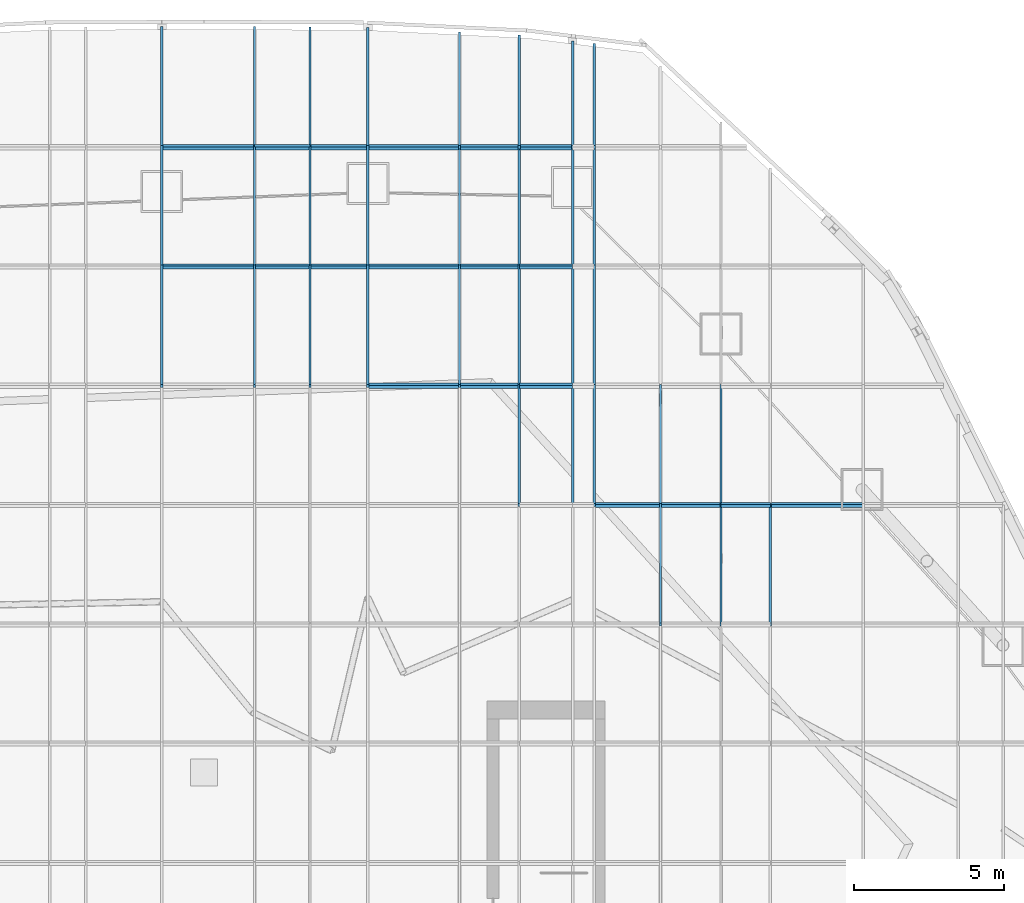
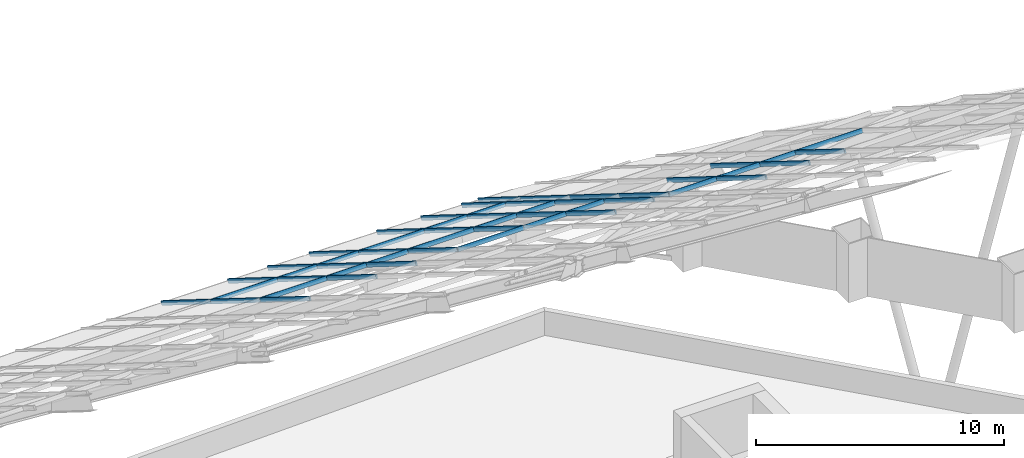
# One storey, part 21 of 38: 51 members, 34 elements without a shape of their own.
"""IFC4 building model written with IfcOpenShell, lengths in metres."""

from ifc_helpers import new_model, si_unit, direction, frame, origin, origin_2d, place, context, subcontext, project, spatial, rectangle, extrude, material, layer, layer_set, material_profile, profile_set, type_object, element, aggregate, save


model = new_model("IFC4")

# Units and contexts
model_context = context("Model", 3, precision=1e-05, world=origin(), true_north=direction((0.0, 1.0)))
body_context = subcontext(model_context, "Body", "Model", "MODEL_VIEW")
ifc_project = project(units=[si_unit("LENGTHUNIT", "METRE"), si_unit("AREAUNIT", "SQUARE_METRE"), si_unit("VOLUMEUNIT", "CUBIC_METRE"), si_unit("PLANEANGLEUNIT", "RADIAN"), si_unit("MASSUNIT", "GRAM", prefix="KILO")], contexts=[model_context])

# Site, building, storey
site_placement = place(None, origin())
site = spatial("IfcSite", under=ifc_project, at=site_placement, CompositionType="ELEMENT")
building_placement = place(site_placement, origin())
building = spatial("IfcBuilding", under=site, at=building_placement, Name="Dongbaek Canopy Tower", CompositionType="ELEMENT")
storey_placement = place(building_placement, frame((0.0, 0.0, 375.800048828125)))
storey = spatial("IfcBuildingStorey", under=building, at=storey_placement, Name="Roof", CompositionType="ELEMENT", Elevation=375.800048828125)

# Curtain wall, member
ifc_material_1 = material(Name="Aluminium 6063-T6 pale anodised", Category="aluminium")
ifc_layer = layer(ifc_material_1, 0.199951171875)
ifc_layer_set = layer_set([ifc_layer], Name="CW-6 canopy glazing curtain wall")
curtain_wall_type = type_object("IfcCurtainWallType", Name="CW-6 canopy glazing curtain wall", PredefinedType="NOTDEFINED", material=ifc_layer_set)
curtain_wall_1_placement = place(storey_placement, origin())
curtain_wall_1 = element("IfcCurtainWall", 1, at=curtain_wall_1_placement, inside=storey, type_object=curtain_wall_type, Name="CW-6 canopy glazing north 15.6", PredefinedType="NOTDEFINED")
ifc_material_2 = material(Name="Aluminium 6063-T6 pale anodised", Category="aluminium")
ifc_material_profile_1 = material_profile(ifc_material_2, rectangle(XDim=0.080078125, YDim=0.199951171875, at=origin_2d()), Name="CW-6 mullion 80 x 200")
ifc_profile_set_1 = profile_set([ifc_material_profile_1], Name="Aluminium 6063-T6 pale anodised")
member_type_1 = type_object("IfcMemberType", Name="CW-6 mullion 80 x 200", PredefinedType="MULLION", material=ifc_profile_set_1)
member_1_placement = place(storey_placement, frame((-1.41796875, 20.93115234375, 5.64453125), z_axis=(0.0, 0.848030400431, -0.529947582262), x_axis=(-1.0, 0.0, 0.0)))
member_1 = element("IfcMember", 2, at=member_1_placement, type_object=member_type_1, Name="CW-6 mullion N15.6.-1.4", PredefinedType="MULLION", context=body_context, shape_type="SweptSolid", body=[
    extrude(rectangle(XDim=0.080078125, YDim=0.199951171875, at=origin_2d()), origin(), (0.0, 0.0, 1.0), 4.700439453125),
])
aggregate(curtain_wall_1, [member_1])

curtain_wall_2_placement = place(storey_placement, origin())
curtain_wall_2 = element("IfcCurtainWall", 3, at=curtain_wall_2_placement, inside=storey, type_object=curtain_wall_type, Name="CW-6 canopy glazing north 15.7", PredefinedType="NOTDEFINED")
member_2_placement = place(storey_placement, frame((-1.41796875, 24.917236328125, 3.153564453125), z_axis=(0.0, 0.848068327403, -0.529886886095), x_axis=(-1.0, 0.0, 0.0)))
member_2 = element("IfcMember", 4, at=member_2_placement, type_object=member_type_1, Name="CW-6 mullion N15.7.-1.4", PredefinedType="MULLION", context=body_context, shape_type="SweptSolid", body=[
    extrude(rectangle(XDim=0.080078125, YDim=0.199951171875, at=origin_2d()), origin(), (0.0, 0.0, 1.0), 4.700439453125),
])
aggregate(curtain_wall_2, [member_2])

curtain_wall_3_placement = place(storey_placement, origin())
curtain_wall_3 = element("IfcCurtainWall", 5, at=curtain_wall_3_placement, inside=storey, type_object=curtain_wall_type, Name="CW-6 canopy glazing north 15.8", PredefinedType="NOTDEFINED")
member_3_placement = place(storey_placement, frame((-1.41796875, 28.903564453125, 0.662841796875), z_axis=(0.0, 0.848039216528, -0.529933474345), x_axis=(-1.0, 0.0, 0.0)))
member_3 = element("IfcMember", 6, at=member_3_placement, type_object=member_type_1, Name="CW-6 mullion N15.8.-1.4", PredefinedType="MULLION", context=body_context, shape_type="SweptSolid", body=[
    extrude(rectangle(XDim=0.080078125, YDim=0.199951171875, at=origin_2d()), origin(), (0.0, 0.0, 1.0), 4.693115234375),
])
aggregate(curtain_wall_3, [member_3])

curtain_wall_4_placement = place(storey_placement, origin())
curtain_wall_4 = element("IfcCurtainWall", 7, at=curtain_wall_4_placement, inside=storey, type_object=curtain_wall_type, Name="CW-6 canopy glazing north 16.6", PredefinedType="NOTDEFINED")
member_4_placement = place(storey_placement, frame((1.68310546875, 20.93115234375, 5.64453125), z_axis=(0.0, 0.848030400431, -0.529947582262), x_axis=(-1.0, 0.0, 0.0)))
member_4 = element("IfcMember", 8, at=member_4_placement, type_object=member_type_1, Name="CW-6 mullion N16.6.1.7", PredefinedType="MULLION", context=body_context, shape_type="SweptSolid", body=[
    extrude(rectangle(XDim=0.080078125, YDim=0.199951171875, at=origin_2d()), origin(), (0.0, 0.0, 1.0), 4.700439453125),
])

curtain_wall_5_placement = place(storey_placement, origin())
curtain_wall_5 = element("IfcCurtainWall", 9, at=curtain_wall_5_placement, inside=storey, type_object=curtain_wall_type, Name="CW-6 canopy glazing north 16.7", PredefinedType="NOTDEFINED")
member_5_placement = place(storey_placement, frame((1.68310546875, 24.917236328125, 3.153564453125), z_axis=(0.0, 0.848068327403, -0.529886886095), x_axis=(-1.0, 0.0, 0.0)))
member_5 = element("IfcMember", 10, at=member_5_placement, type_object=member_type_1, Name="CW-6 mullion N16.7.1.7", PredefinedType="MULLION", context=body_context, shape_type="SweptSolid", body=[
    extrude(rectangle(XDim=0.080078125, YDim=0.199951171875, at=origin_2d()), origin(), (0.0, 0.0, 1.0), 4.700439453125),
])

curtain_wall_6_placement = place(storey_placement, origin())
curtain_wall_6 = element("IfcCurtainWall", 11, at=curtain_wall_6_placement, inside=storey, type_object=curtain_wall_type, Name="CW-6 canopy glazing north 16.8", PredefinedType="NOTDEFINED")
member_6_placement = place(storey_placement, frame((1.68310546875, 28.903564453125, 0.662841796875), z_axis=(0.0, 0.848036305897, -0.529938132126), x_axis=(-1.0, 0.0, 0.0)))
member_6 = element("IfcMember", 12, at=member_6_placement, type_object=member_type_1, Name="CW-6 mullion N16.8.1.7", PredefinedType="MULLION", context=body_context, shape_type="SweptSolid", body=[
    extrude(rectangle(XDim=0.080078125, YDim=0.199951171875, at=origin_2d()), origin(), (0.0, 0.0, 1.0), 4.691650390625),
])
aggregate(curtain_wall_6, [member_6])

curtain_wall_7_placement = place(storey_placement, origin())
curtain_wall_7 = element("IfcCurtainWall", 13, at=curtain_wall_7_placement, inside=storey, type_object=curtain_wall_type, Name="CW-6 canopy glazing north 17.6", PredefinedType="NOTDEFINED")
member_7_placement = place(storey_placement, frame((3.535400390625, 20.93115234375, 5.64453125), z_axis=(0.0, 0.848030400431, -0.529947582262), x_axis=(-1.0, 0.0, 0.0)))
member_7 = element("IfcMember", 14, at=member_7_placement, type_object=member_type_1, Name="CW-6 mullion N17.6.3.5", PredefinedType="MULLION", context=body_context, shape_type="SweptSolid", body=[
    extrude(rectangle(XDim=0.080078125, YDim=0.199951171875, at=origin_2d()), origin(), (0.0, 0.0, 1.0), 4.700439453125),
])

curtain_wall_8_placement = place(storey_placement, origin())
curtain_wall_8 = element("IfcCurtainWall", 15, at=curtain_wall_8_placement, inside=storey, type_object=curtain_wall_type, Name="CW-6 canopy glazing north 17.7", PredefinedType="NOTDEFINED")
member_8_placement = place(storey_placement, frame((3.535400390625, 24.917236328125, 3.153564453125), z_axis=(0.0, 0.848068327403, -0.529886886095), x_axis=(-1.0, 0.0, 0.0)))
member_8 = element("IfcMember", 16, at=member_8_placement, type_object=member_type_1, Name="CW-6 mullion N17.7.3.5", PredefinedType="MULLION", context=body_context, shape_type="SweptSolid", body=[
    extrude(rectangle(XDim=0.080078125, YDim=0.199951171875, at=origin_2d()), origin(), (0.0, 0.0, 1.0), 4.700439453125),
])

curtain_wall_9_placement = place(storey_placement, origin())
curtain_wall_9 = element("IfcCurtainWall", 17, at=curtain_wall_9_placement, inside=storey, type_object=curtain_wall_type, Name="CW-6 canopy glazing north 17.8", PredefinedType="NOTDEFINED")
member_9_placement = place(storey_placement, frame((3.535400390625, 28.903564453125, 0.662841796875), z_axis=(0.0, 0.848045170327, -0.52992394651), x_axis=(-1.0, 0.0, 0.0)))
member_9 = element("IfcMember", 18, at=member_9_placement, type_object=member_type_1, Name="CW-6 mullion N17.8.3.5", PredefinedType="MULLION", context=body_context, shape_type="SweptSolid", body=[
    extrude(rectangle(XDim=0.080078125, YDim=0.199951171875, at=origin_2d()), origin(), (0.0, 0.0, 1.0), 4.68212890625),
])
aggregate(curtain_wall_9, [member_9])

curtain_wall_10_placement = place(storey_placement, origin())
curtain_wall_10 = element("IfcCurtainWall", 19, at=curtain_wall_10_placement, inside=storey, type_object=curtain_wall_type, Name="CW-6 canopy glazing north 18.6", PredefinedType="NOTDEFINED")
member_10_placement = place(storey_placement, frame((5.470947265625, 20.93115234375, 5.64453125), z_axis=(0.0, 0.848030400431, -0.529947582262), x_axis=(-1.0, 0.0, 0.0)))
member_10 = element("IfcMember", 20, at=member_10_placement, type_object=member_type_1, Name="CW-6 mullion N18.6.5.5", PredefinedType="MULLION", context=body_context, shape_type="SweptSolid", body=[
    extrude(rectangle(XDim=0.080078125, YDim=0.199951171875, at=origin_2d()), origin(), (0.0, 0.0, 1.0), 4.700439453125),
])

curtain_wall_11_placement = place(storey_placement, origin())
curtain_wall_11 = element("IfcCurtainWall", 21, at=curtain_wall_11_placement, inside=storey, type_object=curtain_wall_type, Name="CW-6 canopy glazing north 18.7", PredefinedType="NOTDEFINED")
member_11_placement = place(storey_placement, frame((5.470947265625, 24.917236328125, 3.153564453125), z_axis=(0.0, 0.848068327403, -0.529886886095), x_axis=(-1.0, 0.0, 0.0)))
member_11 = element("IfcMember", 22, at=member_11_placement, type_object=member_type_1, Name="CW-6 mullion N18.7.5.5", PredefinedType="MULLION", context=body_context, shape_type="SweptSolid", body=[
    extrude(rectangle(XDim=0.080078125, YDim=0.199951171875, at=origin_2d()), origin(), (0.0, 0.0, 1.0), 4.700439453125),
])

curtain_wall_12_placement = place(storey_placement, origin())
curtain_wall_12 = element("IfcCurtainWall", 23, at=curtain_wall_12_placement, inside=storey, type_object=curtain_wall_type, Name="CW-6 canopy glazing north 18.8", PredefinedType="NOTDEFINED")
member_12_placement = place(storey_placement, frame((5.470947265625, 28.903564453125, 0.662841796875), z_axis=(0.0, 0.848036531076, -0.529937771781), x_axis=(-1.0, 0.0, 0.0)))
member_12 = element("IfcMember", 24, at=member_12_placement, type_object=member_type_1, Name="CW-6 mullion N18.8.5.5", PredefinedType="MULLION", context=body_context, shape_type="SweptSolid", body=[
    extrude(rectangle(XDim=0.080078125, YDim=0.199951171875, at=origin_2d()), origin(), (0.0, 0.0, 1.0), 4.6640625),
])
aggregate(curtain_wall_12, [member_12])

curtain_wall_13_placement = place(storey_placement, origin())
curtain_wall_13 = element("IfcCurtainWall", 25, at=curtain_wall_13_placement, inside=storey, type_object=curtain_wall_type, Name="CW-6 canopy glazing north 19.6", PredefinedType="NOTDEFINED")
member_13_placement = place(storey_placement, frame((8.533935546875, 20.93115234375, 5.64453125), z_axis=(0.0, 0.848030400431, -0.529947582262), x_axis=(-1.0, 0.0, 0.0)))
member_13 = element("IfcMember", 26, at=member_13_placement, type_object=member_type_1, Name="CW-6 mullion N19.6.8.5", PredefinedType="MULLION", context=body_context, shape_type="SweptSolid", body=[
    extrude(rectangle(XDim=0.080078125, YDim=0.199951171875, at=origin_2d()), origin(), (0.0, 0.0, 1.0), 4.700439453125),
])

curtain_wall_14_placement = place(storey_placement, origin())
curtain_wall_14 = element("IfcCurtainWall", 27, at=curtain_wall_14_placement, inside=storey, type_object=curtain_wall_type, Name="CW-6 canopy glazing north 19.7", PredefinedType="NOTDEFINED")
member_14_placement = place(storey_placement, frame((8.533935546875, 24.917236328125, 3.153564453125), z_axis=(0.0, 0.848068327403, -0.529886886095), x_axis=(-1.0, 0.0, 0.0)))
member_14 = element("IfcMember", 28, at=member_14_placement, type_object=member_type_1, Name="CW-6 mullion N19.7.8.5", PredefinedType="MULLION", context=body_context, shape_type="SweptSolid", body=[
    extrude(rectangle(XDim=0.080078125, YDim=0.199951171875, at=origin_2d()), origin(), (0.0, 0.0, 1.0), 4.700439453125),
])

curtain_wall_15_placement = place(storey_placement, origin())
curtain_wall_15 = element("IfcCurtainWall", 29, at=curtain_wall_15_placement, inside=storey, type_object=curtain_wall_type, Name="CW-6 canopy glazing north 19.8", PredefinedType="NOTDEFINED")
member_15_placement = place(storey_placement, frame((8.533935546875, 28.903564453125, 0.662841796875), z_axis=(0.0, 0.848031932836, -0.529945130075), x_axis=(-1.0, 0.0, 0.0)))
member_15 = element("IfcMember", 30, at=member_15_placement, type_object=member_type_1, Name="CW-6 mullion N19.8.8.5", PredefinedType="MULLION", context=body_context, shape_type="SweptSolid", body=[
    extrude(rectangle(XDim=0.080078125, YDim=0.199951171875, at=origin_2d()), origin(), (0.0, 0.0, 1.0), 4.486083984375),
])
aggregate(curtain_wall_15, [member_15])

curtain_wall_16_placement = place(storey_placement, origin())
curtain_wall_16 = element("IfcCurtainWall", 31, at=curtain_wall_16_placement, inside=storey, type_object=curtain_wall_type, Name="CW-6 canopy glazing north 20.5", PredefinedType="NOTDEFINED")
member_16_placement = place(storey_placement, frame((10.535400390625, 16.94482421875, 8.13525390625), z_axis=(0.0, 0.848068327403, -0.529886886095), x_axis=(-1.0, 0.0, 0.0)))
member_16 = element("IfcMember", 32, at=member_16_placement, type_object=member_type_1, Name="CW-6 mullion N20.5.10.5", PredefinedType="MULLION", context=body_context, shape_type="SweptSolid", body=[
    extrude(rectangle(XDim=0.080078125, YDim=0.199951171875, at=origin_2d()), origin(), (0.0, 0.0, 1.0), 4.700439453125),
])

curtain_wall_17_placement = place(storey_placement, origin())
curtain_wall_17 = element("IfcCurtainWall", 33, at=curtain_wall_17_placement, inside=storey, type_object=curtain_wall_type, Name="CW-6 canopy glazing north 20.6", PredefinedType="NOTDEFINED")
member_17_placement = place(storey_placement, frame((10.535400390625, 20.93115234375, 5.64453125), z_axis=(0.0, 0.848030400431, -0.529947582262), x_axis=(-1.0, 0.0, 0.0)))
member_17 = element("IfcMember", 34, at=member_17_placement, type_object=member_type_1, Name="CW-6 mullion N20.6.10.5", PredefinedType="MULLION", context=body_context, shape_type="SweptSolid", body=[
    extrude(rectangle(XDim=0.080078125, YDim=0.199951171875, at=origin_2d()), origin(), (0.0, 0.0, 1.0), 4.700439453125),
])

curtain_wall_18_placement = place(storey_placement, origin())
curtain_wall_18 = element("IfcCurtainWall", 35, at=curtain_wall_18_placement, inside=storey, type_object=curtain_wall_type, Name="CW-6 canopy glazing north 20.7", PredefinedType="NOTDEFINED")
member_18_placement = place(storey_placement, frame((10.535400390625, 24.917236328125, 3.153564453125), z_axis=(0.0, 0.848068327403, -0.529886886095), x_axis=(-1.0, 0.0, 0.0)))
member_18 = element("IfcMember", 36, at=member_18_placement, type_object=member_type_1, Name="CW-6 mullion N20.7.10.5", PredefinedType="MULLION", context=body_context, shape_type="SweptSolid", body=[
    extrude(rectangle(XDim=0.080078125, YDim=0.199951171875, at=origin_2d()), origin(), (0.0, 0.0, 1.0), 4.700439453125),
])

curtain_wall_19_placement = place(storey_placement, origin())
curtain_wall_19 = element("IfcCurtainWall", 37, at=curtain_wall_19_placement, inside=storey, type_object=curtain_wall_type, Name="CW-6 canopy glazing north 20.8", PredefinedType="NOTDEFINED")
member_19_placement = place(storey_placement, frame((10.535400390625, 28.903564453125, 0.662841796875), z_axis=(0.0, 0.848020273836, -0.529963786653), x_axis=(-1.0, 0.0, 0.0)))
member_19 = element("IfcMember", 38, at=member_19_placement, type_object=member_type_1, Name="CW-6 mullion N20.8.10.5", PredefinedType="MULLION", context=body_context, shape_type="SweptSolid", body=[
    extrude(rectangle(XDim=0.080078125, YDim=0.199951171875, at=origin_2d()), origin(), (0.0, 0.0, 1.0), 4.369873046875),
])
aggregate(curtain_wall_19, [member_19])

curtain_wall_20_placement = place(storey_placement, origin())
curtain_wall_20 = element("IfcCurtainWall", 39, at=curtain_wall_20_placement, inside=storey, type_object=curtain_wall_type, Name="CW-6 canopy glazing north 21.5", PredefinedType="NOTDEFINED")
member_20_placement = place(storey_placement, frame((12.31396484375, 16.94482421875, 8.13525390625), z_axis=(0.0, 0.848068327403, -0.529886886095), x_axis=(-1.0, 0.0, 0.0)))
member_20 = element("IfcMember", 40, at=member_20_placement, type_object=member_type_1, Name="CW-6 mullion N21.5.12.3", PredefinedType="MULLION", context=body_context, shape_type="SweptSolid", body=[
    extrude(rectangle(XDim=0.080078125, YDim=0.199951171875, at=origin_2d()), origin(), (0.0, 0.0, 1.0), 4.700439453125),
])

curtain_wall_21_placement = place(storey_placement, origin())
curtain_wall_21 = element("IfcCurtainWall", 41, at=curtain_wall_21_placement, inside=storey, type_object=curtain_wall_type, Name="CW-6 canopy glazing north 21.6", PredefinedType="NOTDEFINED")
member_21_placement = place(storey_placement, frame((12.31396484375, 20.93115234375, 5.64453125), z_axis=(0.0, 0.848030400431, -0.529947582262), x_axis=(-1.0, 0.0, 0.0)))
member_21 = element("IfcMember", 42, at=member_21_placement, type_object=member_type_1, Name="CW-6 mullion N21.6.12.3", PredefinedType="MULLION", context=body_context, shape_type="SweptSolid", body=[
    extrude(rectangle(XDim=0.080078125, YDim=0.199951171875, at=origin_2d()), origin(), (0.0, 0.0, 1.0), 4.700439453125),
])

curtain_wall_22_placement = place(storey_placement, origin())
curtain_wall_22 = element("IfcCurtainWall", 43, at=curtain_wall_22_placement, inside=storey, type_object=curtain_wall_type, Name="CW-6 canopy glazing north 21.7", PredefinedType="NOTDEFINED")
member_22_placement = place(storey_placement, frame((12.31396484375, 24.917236328125, 3.153564453125), z_axis=(0.0, 0.848068327403, -0.529886886095), x_axis=(-1.0, 0.0, 0.0)))
member_22 = element("IfcMember", 44, at=member_22_placement, type_object=member_type_1, Name="CW-6 mullion N21.7.12.3", PredefinedType="MULLION", context=body_context, shape_type="SweptSolid", body=[
    extrude(rectangle(XDim=0.080078125, YDim=0.199951171875, at=origin_2d()), origin(), (0.0, 0.0, 1.0), 4.700439453125),
])

curtain_wall_23_placement = place(storey_placement, origin())
curtain_wall_23 = element("IfcCurtainWall", 45, at=curtain_wall_23_placement, inside=storey, type_object=curtain_wall_type, Name="CW-6 canopy glazing north 21.8", PredefinedType="NOTDEFINED")
member_23_placement = place(storey_placement, frame((12.31396484375, 28.903564453125, 0.662841796875), z_axis=(0.0, 0.84802153493, -0.529961768711), x_axis=(-1.0, 0.0, 0.0)))
member_23 = element("IfcMember", 46, at=member_23_placement, type_object=member_type_1, Name="CW-6 mullion N21.8.12.3", PredefinedType="MULLION", context=body_context, shape_type="SweptSolid", body=[
    extrude(rectangle(XDim=0.080078125, YDim=0.199951171875, at=origin_2d()), origin(), (0.0, 0.0, 1.0), 4.1328125),
])
aggregate(curtain_wall_23, [member_23])

curtain_wall_24_placement = place(storey_placement, origin())
curtain_wall_24 = element("IfcCurtainWall", 47, at=curtain_wall_24_placement, inside=storey, type_object=curtain_wall_type, Name="CW-6 canopy glazing north 22.5", PredefinedType="NOTDEFINED")
member_24_placement = place(storey_placement, frame((13.035400390625, 16.94482421875, 8.13525390625), z_axis=(0.0, 0.848068327403, -0.529886886095), x_axis=(-1.0, 0.0, 0.0)))
member_24 = element("IfcMember", 48, at=member_24_placement, type_object=member_type_1, Name="CW-6 mullion N22.5.13.0", PredefinedType="MULLION", context=body_context, shape_type="SweptSolid", body=[
    extrude(rectangle(XDim=0.080078125, YDim=0.199951171875, at=origin_2d()), origin(), (0.0, 0.0, 1.0), 4.700439453125),
])
aggregate(curtain_wall_24, [member_24])

curtain_wall_25_placement = place(storey_placement, origin())
curtain_wall_25 = element("IfcCurtainWall", 49, at=curtain_wall_25_placement, inside=storey, type_object=curtain_wall_type, Name="CW-6 canopy glazing north 22.6", PredefinedType="NOTDEFINED")
member_25_placement = place(storey_placement, frame((13.035400390625, 20.93115234375, 5.64453125), z_axis=(0.0, 0.848030400431, -0.529947582262), x_axis=(-1.0, 0.0, 0.0)))
member_25 = element("IfcMember", 50, at=member_25_placement, type_object=member_type_1, Name="CW-6 mullion N22.6.13.0", PredefinedType="MULLION", context=body_context, shape_type="SweptSolid", body=[
    extrude(rectangle(XDim=0.080078125, YDim=0.199951171875, at=origin_2d()), origin(), (0.0, 0.0, 1.0), 4.700439453125),
])
aggregate(curtain_wall_25, [member_25])

curtain_wall_26_placement = place(storey_placement, origin())
curtain_wall_26 = element("IfcCurtainWall", 51, at=curtain_wall_26_placement, inside=storey, type_object=curtain_wall_type, Name="CW-6 canopy glazing north 22.7", PredefinedType="NOTDEFINED")
member_26_placement = place(storey_placement, frame((13.035400390625, 24.917236328125, 3.153564453125), z_axis=(0.0, 0.848068327403, -0.529886886095), x_axis=(-1.0, 0.0, 0.0)))
member_26 = element("IfcMember", 52, at=member_26_placement, type_object=member_type_1, Name="CW-6 mullion N22.7.13.0", PredefinedType="MULLION", context=body_context, shape_type="SweptSolid", body=[
    extrude(rectangle(XDim=0.080078125, YDim=0.199951171875, at=origin_2d()), origin(), (0.0, 0.0, 1.0), 4.700439453125),
])
aggregate(curtain_wall_26, [member_26])

curtain_wall_27_placement = place(storey_placement, origin())
curtain_wall_27 = element("IfcCurtainWall", 53, at=curtain_wall_27_placement, inside=storey, type_object=curtain_wall_type, Name="CW-6 canopy glazing north 22.8", PredefinedType="NOTDEFINED")
member_27_placement = place(storey_placement, frame((13.035400390625, 28.903564453125, 0.662841796875), z_axis=(0.0, 0.848049393821, -0.529917187531), x_axis=(-1.0, 0.0, 0.0)))
member_27 = element("IfcMember", 54, at=member_27_placement, type_object=member_type_1, Name="CW-6 mullion N22.8.13.0", PredefinedType="MULLION", context=body_context, shape_type="SweptSolid", body=[
    extrude(rectangle(XDim=0.080078125, YDim=0.199951171875, at=origin_2d()), origin(), (0.0, 0.0, 1.0), 4.026611328125),
])
aggregate(curtain_wall_27, [member_27])

curtain_wall_28_placement = place(storey_placement, origin())
curtain_wall_28 = element("IfcCurtainWall", 55, at=curtain_wall_28_placement, inside=storey, type_object=curtain_wall_type, Name="CW-6 canopy glazing north 23.4", PredefinedType="NOTDEFINED")
member_28_placement = place(storey_placement, frame((15.251953125, 12.958740234375, 10.626220703125), z_axis=(0.0, 0.848030400431, -0.529947582262), x_axis=(-1.0, 0.0, 0.0)))
member_28 = element("IfcMember", 56, at=member_28_placement, type_object=member_type_1, Name="CW-6 mullion N23.4.15.3", PredefinedType="MULLION", context=body_context, shape_type="SweptSolid", body=[
    extrude(rectangle(XDim=0.080078125, YDim=0.199951171875, at=origin_2d()), origin(), (0.0, 0.0, 1.0), 4.700439453125),
])

curtain_wall_29_placement = place(storey_placement, origin())
curtain_wall_29 = element("IfcCurtainWall", 57, at=curtain_wall_29_placement, inside=storey, type_object=curtain_wall_type, Name="CW-6 canopy glazing north 23.5", PredefinedType="NOTDEFINED")
member_29_placement = place(storey_placement, frame((15.251953125, 16.94482421875, 8.13525390625), z_axis=(0.0, 0.848068327403, -0.529886886095), x_axis=(-1.0, 0.0, 0.0)))
member_29 = element("IfcMember", 58, at=member_29_placement, type_object=member_type_1, Name="CW-6 mullion N23.5.15.3", PredefinedType="MULLION", context=body_context, shape_type="SweptSolid", body=[
    extrude(rectangle(XDim=0.080078125, YDim=0.199951171875, at=origin_2d()), origin(), (0.0, 0.0, 1.0), 4.700439453125),
])
aggregate(curtain_wall_29, [member_29])

curtain_wall_30_placement = place(storey_placement, origin())
curtain_wall_30 = element("IfcCurtainWall", 59, at=curtain_wall_30_placement, inside=storey, type_object=curtain_wall_type, Name="CW-6 canopy glazing north 24.4", PredefinedType="NOTDEFINED")
member_30_placement = place(storey_placement, frame((17.27587890625, 12.958740234375, 10.626220703125), z_axis=(0.0, 0.848030400431, -0.529947582262), x_axis=(-1.0, 0.0, 0.0)))
member_30 = element("IfcMember", 60, at=member_30_placement, type_object=member_type_1, Name="CW-6 mullion N24.4.17.3", PredefinedType="MULLION", context=body_context, shape_type="SweptSolid", body=[
    extrude(rectangle(XDim=0.080078125, YDim=0.199951171875, at=origin_2d()), origin(), (0.0, 0.0, 1.0), 4.700439453125),
])

curtain_wall_31_placement = place(storey_placement, origin())
curtain_wall_31 = element("IfcCurtainWall", 61, at=curtain_wall_31_placement, inside=storey, type_object=curtain_wall_type, Name="CW-6 canopy glazing north 24.5", PredefinedType="NOTDEFINED")
member_31_placement = place(storey_placement, frame((17.27587890625, 16.94482421875, 8.13525390625), z_axis=(0.0, 0.848068327403, -0.529886886095), x_axis=(-1.0, 0.0, 0.0)))
member_31 = element("IfcMember", 62, at=member_31_placement, type_object=member_type_1, Name="CW-6 mullion N24.5.17.3", PredefinedType="MULLION", context=body_context, shape_type="SweptSolid", body=[
    extrude(rectangle(XDim=0.080078125, YDim=0.199951171875, at=origin_2d()), origin(), (0.0, 0.0, 1.0), 4.700439453125),
])
aggregate(curtain_wall_31, [member_31])

curtain_wall_32_placement = place(storey_placement, origin())
curtain_wall_32 = element("IfcCurtainWall", 63, at=curtain_wall_32_placement, inside=storey, type_object=curtain_wall_type, Name="CW-6 canopy glazing north 25.4", PredefinedType="NOTDEFINED")
member_32_placement = place(storey_placement, frame((18.925048828125, 12.958740234375, 10.626220703125), z_axis=(0.0, 0.848030400431, -0.529947582262), x_axis=(-1.0, 0.0, 0.0)))
member_32 = element("IfcMember", 64, at=member_32_placement, type_object=member_type_1, Name="CW-6 mullion N25.4.18.9", PredefinedType="MULLION", context=body_context, shape_type="SweptSolid", body=[
    extrude(rectangle(XDim=0.080078125, YDim=0.199951171875, at=origin_2d()), origin(), (0.0, 0.0, 1.0), 4.700439453125),
])

# Member
ifc_material_3 = material(Name="Aluminium 6063-T6 pale anodised", Category="aluminium")
ifc_material_profile_2 = material_profile(ifc_material_3, rectangle(XDim=0.080078125, YDim=0.199951171875, at=origin_2d()), Name="CW-6 transom 80 x 200")
ifc_profile_set_2 = profile_set([ifc_material_profile_2], Name="Aluminium 6063-T6 pale anodised")
member_type_2 = type_object("IfcMemberType", Name="CW-6 transom 80 x 200", PredefinedType="USERDEFINED", material=ifc_profile_set_2)
member_33_placement = place(storey_placement, frame((-1.41796875, 24.917236328125, 3.153564453125), z_axis=(1.0, 0.0, 0.0), x_axis=(0.0, 0.848048096156, -0.529919264233)))
member_33 = element("IfcMember", 65, at=member_33_placement, type_object=member_type_2, Name="CW-6 transom N16.6.7", ObjectType="TRANSOM", PredefinedType="USERDEFINED", context=body_context, shape_type="SweptSolid", body=[
    extrude(rectangle(XDim=0.080078125, YDim=0.199951171875, at=origin_2d()), origin(), (0.0, 0.0, 1.0), 3.10107421875),
])

aggregate(curtain_wall_4, [member_4, member_33])

member_34_placement = place(storey_placement, frame((-1.41796875, 28.903564453125, 0.662841796875), z_axis=(1.0, 0.0, 0.0), x_axis=(0.0, 0.848048096156, -0.529919264233)))
member_34 = element("IfcMember", 66, at=member_34_placement, type_object=member_type_2, Name="CW-6 transom N16.7.8", ObjectType="TRANSOM", PredefinedType="USERDEFINED", context=body_context, shape_type="SweptSolid", body=[
    extrude(rectangle(XDim=0.080078125, YDim=0.199951171875, at=origin_2d()), origin(), (0.0, 0.0, 1.0), 3.10107421875),
])

aggregate(curtain_wall_5, [member_5, member_34])

member_35_placement = place(storey_placement, frame((1.68310546875, 24.917236328125, 3.153564453125), z_axis=(1.0, 0.0, 0.0), x_axis=(0.0, 0.848048096156, -0.529919264233)))
member_35 = element("IfcMember", 67, at=member_35_placement, type_object=member_type_2, Name="CW-6 transom N17.6.7", ObjectType="TRANSOM", PredefinedType="USERDEFINED", context=body_context, shape_type="SweptSolid", body=[
    extrude(rectangle(XDim=0.080078125, YDim=0.199951171875, at=origin_2d()), origin(), (0.0, 0.0, 1.0), 1.852294921875),
])

aggregate(curtain_wall_7, [member_7, member_35])

member_36_placement = place(storey_placement, frame((1.68310546875, 28.903564453125, 0.662841796875), z_axis=(1.0, 0.0, 0.0), x_axis=(0.0, 0.848048096156, -0.529919264233)))
member_36 = element("IfcMember", 68, at=member_36_placement, type_object=member_type_2, Name="CW-6 transom N17.7.8", ObjectType="TRANSOM", PredefinedType="USERDEFINED", context=body_context, shape_type="SweptSolid", body=[
    extrude(rectangle(XDim=0.080078125, YDim=0.199951171875, at=origin_2d()), origin(), (0.0, 0.0, 1.0), 1.852294921875),
])

aggregate(curtain_wall_8, [member_8, member_36])

member_37_placement = place(storey_placement, frame((3.535400390625, 24.917236328125, 3.153564453125), z_axis=(1.0, 0.0, 0.0), x_axis=(0.0, 0.848048096156, -0.529919264233)))
member_37 = element("IfcMember", 69, at=member_37_placement, type_object=member_type_2, Name="CW-6 transom N18.6.7", ObjectType="TRANSOM", PredefinedType="USERDEFINED", context=body_context, shape_type="SweptSolid", body=[
    extrude(rectangle(XDim=0.080078125, YDim=0.199951171875, at=origin_2d()), origin(), (0.0, 0.0, 1.0), 1.935546875),
])

aggregate(curtain_wall_10, [member_10, member_37])

member_38_placement = place(storey_placement, frame((3.535400390625, 28.903564453125, 0.662841796875), z_axis=(1.0, 0.0, 0.0), x_axis=(0.0, 0.848048096156, -0.529919264233)))
member_38 = element("IfcMember", 70, at=member_38_placement, type_object=member_type_2, Name="CW-6 transom N18.7.8", ObjectType="TRANSOM", PredefinedType="USERDEFINED", context=body_context, shape_type="SweptSolid", body=[
    extrude(rectangle(XDim=0.080078125, YDim=0.199951171875, at=origin_2d()), origin(), (0.0, 0.0, 1.0), 1.935546875),
])

aggregate(curtain_wall_11, [member_11, member_38])

# Curtain wall, member
curtain_wall_33_placement = place(storey_placement, origin())
curtain_wall_33 = element("IfcCurtainWall", 71, at=curtain_wall_33_placement, inside=storey, type_object=curtain_wall_type, Name="CW-6 canopy glazing north 19.5", PredefinedType="NOTDEFINED")
member_39_placement = place(storey_placement, frame((5.470947265625, 20.93115234375, 5.64453125), z_axis=(1.0, 0.0, 0.0), x_axis=(0.0, 0.848048096156, -0.529919264233)))
member_39 = element("IfcMember", 72, at=member_39_placement, type_object=member_type_2, Name="CW-6 transom N19.5.6", ObjectType="TRANSOM", PredefinedType="USERDEFINED", context=body_context, shape_type="SweptSolid", body=[
    extrude(rectangle(XDim=0.080078125, YDim=0.199951171875, at=origin_2d()), origin(), (0.0, 0.0, 1.0), 3.06298828125),
])
aggregate(curtain_wall_33, [member_39])

# Member
member_40_placement = place(storey_placement, frame((5.470947265625, 24.917236328125, 3.153564453125), z_axis=(1.0, 0.0, 0.0), x_axis=(0.0, 0.848048096156, -0.529919264233)))
member_40 = element("IfcMember", 73, at=member_40_placement, type_object=member_type_2, Name="CW-6 transom N19.6.7", ObjectType="TRANSOM", PredefinedType="USERDEFINED", context=body_context, shape_type="SweptSolid", body=[
    extrude(rectangle(XDim=0.080078125, YDim=0.199951171875, at=origin_2d()), origin(), (0.0, 0.0, 1.0), 3.06298828125),
])

aggregate(curtain_wall_13, [member_13, member_40])

member_41_placement = place(storey_placement, frame((5.470947265625, 28.903564453125, 0.662841796875), z_axis=(1.0, 0.0, 0.0), x_axis=(0.0, 0.848048096156, -0.529919264233)))
member_41 = element("IfcMember", 74, at=member_41_placement, type_object=member_type_2, Name="CW-6 transom N19.7.8", ObjectType="TRANSOM", PredefinedType="USERDEFINED", context=body_context, shape_type="SweptSolid", body=[
    extrude(rectangle(XDim=0.080078125, YDim=0.199951171875, at=origin_2d()), origin(), (0.0, 0.0, 1.0), 3.06298828125),
])

aggregate(curtain_wall_14, [member_14, member_41])

member_42_placement = place(storey_placement, frame((8.533935546875, 20.93115234375, 5.64453125), z_axis=(1.0, 0.0, 0.0), x_axis=(0.0, 0.848048096156, -0.529919264233)))
member_42 = element("IfcMember", 75, at=member_42_placement, type_object=member_type_2, Name="CW-6 transom N20.5.6", ObjectType="TRANSOM", PredefinedType="USERDEFINED", context=body_context, shape_type="SweptSolid", body=[
    extrude(rectangle(XDim=0.080078125, YDim=0.199951171875, at=origin_2d()), origin(), (0.0, 0.0, 1.0), 2.00146484375),
])

aggregate(curtain_wall_16, [member_16, member_42])

member_43_placement = place(storey_placement, frame((8.533935546875, 24.917236328125, 3.153564453125), z_axis=(1.0, 0.0, 0.0), x_axis=(0.0, 0.848048096156, -0.529919264233)))
member_43 = element("IfcMember", 76, at=member_43_placement, type_object=member_type_2, Name="CW-6 transom N20.6.7", ObjectType="TRANSOM", PredefinedType="USERDEFINED", context=body_context, shape_type="SweptSolid", body=[
    extrude(rectangle(XDim=0.080078125, YDim=0.199951171875, at=origin_2d()), origin(), (0.0, 0.0, 1.0), 2.00146484375),
])

aggregate(curtain_wall_17, [member_17, member_43])

member_44_placement = place(storey_placement, frame((8.533935546875, 28.903564453125, 0.662841796875), z_axis=(1.0, 0.0, 0.0), x_axis=(0.0, 0.848048096156, -0.529919264233)))
member_44 = element("IfcMember", 77, at=member_44_placement, type_object=member_type_2, Name="CW-6 transom N20.7.8", ObjectType="TRANSOM", PredefinedType="USERDEFINED", context=body_context, shape_type="SweptSolid", body=[
    extrude(rectangle(XDim=0.080078125, YDim=0.199951171875, at=origin_2d()), origin(), (0.0, 0.0, 1.0), 2.00146484375),
])

aggregate(curtain_wall_18, [member_18, member_44])

member_45_placement = place(storey_placement, frame((10.535400390625, 20.93115234375, 5.64453125), z_axis=(1.0, 0.0, 0.0), x_axis=(0.0, 0.848048096156, -0.529919264233)))
member_45 = element("IfcMember", 78, at=member_45_placement, type_object=member_type_2, Name="CW-6 transom N21.5.6", ObjectType="TRANSOM", PredefinedType="USERDEFINED", context=body_context, shape_type="SweptSolid", body=[
    extrude(rectangle(XDim=0.080078125, YDim=0.199951171875, at=origin_2d()), origin(), (0.0, 0.0, 1.0), 1.778564453125),
])

aggregate(curtain_wall_20, [member_20, member_45])

member_46_placement = place(storey_placement, frame((10.535400390625, 24.917236328125, 3.153564453125), z_axis=(1.0, 0.0, 0.0), x_axis=(0.0, 0.848048096156, -0.529919264233)))
member_46 = element("IfcMember", 79, at=member_46_placement, type_object=member_type_2, Name="CW-6 transom N21.6.7", ObjectType="TRANSOM", PredefinedType="USERDEFINED", context=body_context, shape_type="SweptSolid", body=[
    extrude(rectangle(XDim=0.080078125, YDim=0.199951171875, at=origin_2d()), origin(), (0.0, 0.0, 1.0), 1.778564453125),
])

aggregate(curtain_wall_21, [member_21, member_46])

member_47_placement = place(storey_placement, frame((10.535400390625, 28.903564453125, 0.662841796875), z_axis=(1.0, 0.0, 0.0), x_axis=(0.0, 0.848048096156, -0.529919264233)))
member_47 = element("IfcMember", 80, at=member_47_placement, type_object=member_type_2, Name="CW-6 transom N21.7.8", ObjectType="TRANSOM", PredefinedType="USERDEFINED", context=body_context, shape_type="SweptSolid", body=[
    extrude(rectangle(XDim=0.080078125, YDim=0.199951171875, at=origin_2d()), origin(), (0.0, 0.0, 1.0), 1.778564453125),
])

aggregate(curtain_wall_22, [member_22, member_47])

member_48_placement = place(storey_placement, frame((13.035400390625, 16.94482421875, 8.13525390625), z_axis=(1.0, 0.0, 0.0), x_axis=(0.0, 0.848048096156, -0.529919264233)))
member_48 = element("IfcMember", 81, at=member_48_placement, type_object=member_type_2, Name="CW-6 transom N23.4.5", ObjectType="TRANSOM", PredefinedType="USERDEFINED", context=body_context, shape_type="SweptSolid", body=[
    extrude(rectangle(XDim=0.080078125, YDim=0.199951171875, at=origin_2d()), origin(), (0.0, 0.0, 1.0), 2.216552734375),
])

aggregate(curtain_wall_28, [member_28, member_48])

member_49_placement = place(storey_placement, frame((15.251953125, 16.94482421875, 8.13525390625), z_axis=(1.0, 0.0, 0.0), x_axis=(0.0, 0.848048096156, -0.529919264233)))
member_49 = element("IfcMember", 82, at=member_49_placement, type_object=member_type_2, Name="CW-6 transom N24.4.5", ObjectType="TRANSOM", PredefinedType="USERDEFINED", context=body_context, shape_type="SweptSolid", body=[
    extrude(rectangle(XDim=0.080078125, YDim=0.199951171875, at=origin_2d()), origin(), (0.0, 0.0, 1.0), 2.02392578125),
])

aggregate(curtain_wall_30, [member_30, member_49])

member_50_placement = place(storey_placement, frame((17.27587890625, 16.94482421875, 8.13525390625), z_axis=(1.0, 0.0, 0.0), x_axis=(0.0, 0.848048096156, -0.529919264233)))
member_50 = element("IfcMember", 83, at=member_50_placement, type_object=member_type_2, Name="CW-6 transom N25.4.5", ObjectType="TRANSOM", PredefinedType="USERDEFINED", context=body_context, shape_type="SweptSolid", body=[
    extrude(rectangle(XDim=0.080078125, YDim=0.199951171875, at=origin_2d()), origin(), (0.0, 0.0, 1.0), 1.649169921875),
])

aggregate(curtain_wall_32, [member_32, member_50])

# Curtain wall, member
curtain_wall_34_placement = place(storey_placement, origin())
curtain_wall_34 = element("IfcCurtainWall", 84, at=curtain_wall_34_placement, inside=storey, type_object=curtain_wall_type, Name="CW-6 canopy glazing north 26.4", PredefinedType="NOTDEFINED")
member_51_placement = place(storey_placement, frame((18.925048828125, 16.94482421875, 8.13525390625), z_axis=(1.0, 0.0, 0.0), x_axis=(0.0, 0.848048096156, -0.529919264233)))
member_51 = element("IfcMember", 85, at=member_51_placement, type_object=member_type_2, Name="CW-6 transom N26.4.5", ObjectType="TRANSOM", PredefinedType="USERDEFINED", context=body_context, shape_type="SweptSolid", body=[
    extrude(rectangle(XDim=0.080078125, YDim=0.199951171875, at=origin_2d()), origin(), (0.0, 0.0, 1.0), 3.1103515625),
])
aggregate(curtain_wall_34, [member_51])

save(model, "model.ifc")
